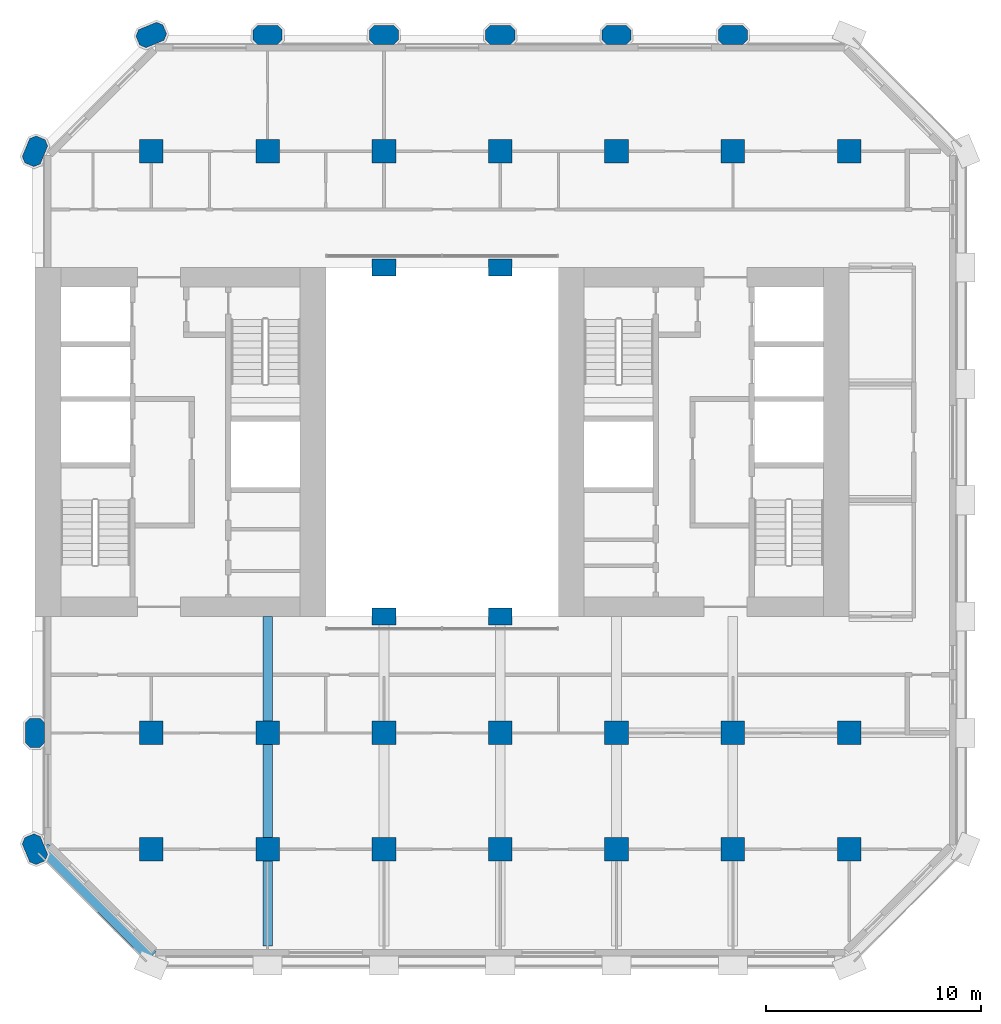
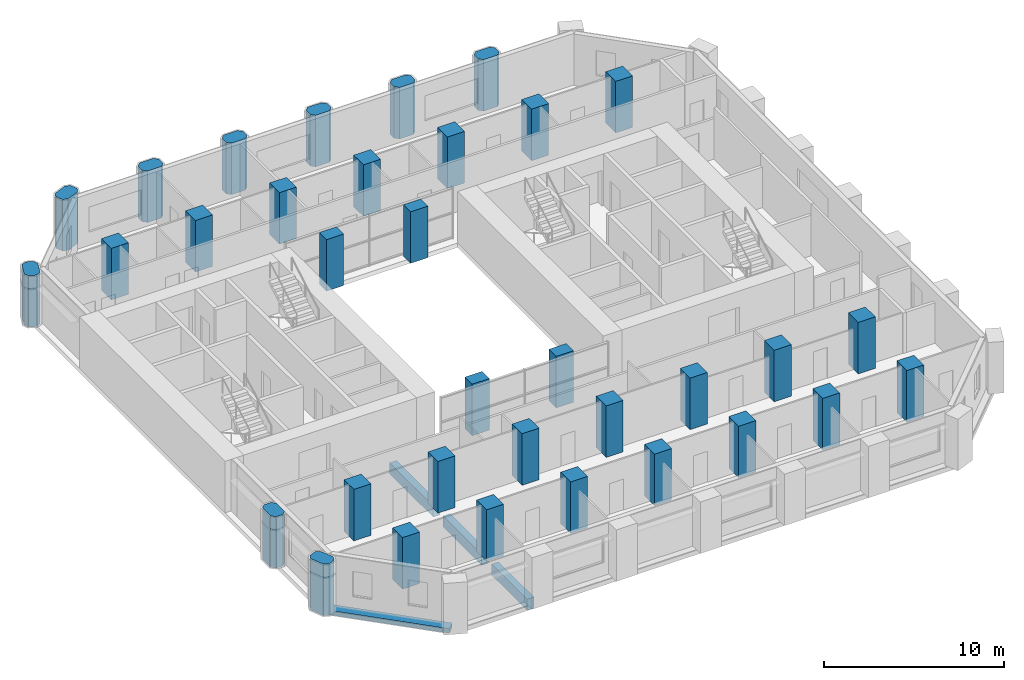
# One storey, part 1 of 14: 34 columns, 4 beams.
"""IFC4 building model written with IfcOpenShell, lengths in metres."""

from ifc_helpers import new_model, si_unit, direction, frame, origin, origin_2d, place, context, subcontext, project, spatial, polyline, rectangle, outline, extrude, material, material_profile, profile_set, type_object, element, save


model = new_model("IFC4")

# Units and contexts
model_context = context("Model", 3, precision=1e-05, world=origin(), true_north=direction((0.0, 1.0)))
body_context = subcontext(model_context, "Body", "Model", "MODEL_VIEW")
ifc_project = project(units=[si_unit("LENGTHUNIT", "METRE"), si_unit("AREAUNIT", "SQUARE_METRE"), si_unit("VOLUMEUNIT", "CUBIC_METRE"), si_unit("PLANEANGLEUNIT", "RADIAN"), si_unit("MASSUNIT", "GRAM", prefix="KILO")], contexts=[model_context])

# Site, building, storey
site_placement = place(None, origin())
site = spatial("IfcSite", under=ifc_project, at=site_placement, CompositionType="ELEMENT")
building_placement = place(site_placement, origin())
building = spatial("IfcBuilding", under=site, at=building_placement, Name="Tabaq Tower and Sports Hall", CompositionType="ELEMENT")
storey_placement = place(building_placement, frame((0.0, 0.0, 52.60009765625)))
storey = spatial("IfcBuildingStorey", under=building, at=storey_placement, Name="L11", CompositionType="ELEMENT", Elevation=52.60009765625)

# Columns
ifc_material_1 = material(Name="Concrete C60/75", Category="concrete")
ifc_material_profile_1 = material_profile(ifc_material_1, rectangle(XDim=1.10009765625, YDim=0.800048828125, at=origin_2d()), Name="ATRIUM COLUMN 1100x800")
ifc_profile_set_1 = profile_set([ifc_material_profile_1], Name="Concrete C60/75")
column_type_1 = type_object("IfcColumnType", Name="RC COLUMN ATRIUM COLUMN 1100x800 C60/75", PredefinedType="COLUMN", material=ifc_profile_set_1)
for number, where, z_axis, x_axis, name in (
    (1, (21.60009765625, 16.199951171875, 0.0), (0.0, 0.0, 1.0), (1.0, 0.0, 0.0), "Atrium Column 5/D L11"),
    (2, (27.0, 16.199951171875, 0.0), (0.0, 0.0, 1.0), (1.0, 0.0, 0.0), "Atrium Column 6/D L11"),
    (3, (21.60009765625, 32.39990234375, 0.0), (0.0, 0.0, 1.0), (1.0, 0.0, 0.0), "Atrium Column 5/G L11"),
    (4, (27.0, 32.39990234375, 0.0), (0.0, 0.0, 1.0), (1.0, 0.0, 0.0), "Atrium Column 6/G L11"),
):
    element("IfcColumn", number, at=place(storey_placement, frame(where, z_axis=z_axis, x_axis=x_axis)), inside=storey, type_object=column_type_1, Name=name, PredefinedType="COLUMN", context=body_context, shape_type="SweptSolid", body=[
        extrude(rectangle(XDim=1.10009765625, YDim=0.800048828125, at=origin_2d()), origin(), (0.0, 0.0, 1.0), 3.5),
    ])
ifc_material_2 = material(Name="Concrete C60/75", Category="concrete")
ifc_material_profile_2 = material_profile(ifc_material_2, rectangle(XDim=1.10009765625, YDim=1.10009765625, at=origin_2d()), Name="COLUMN 1100x1100")
ifc_profile_set_2 = profile_set([ifc_material_profile_2], Name="Concrete C60/75")
column_type_2 = type_object("IfcColumnType", Name="RC COLUMN COLUMN 1100x1100 C60/75", PredefinedType="COLUMN", material=ifc_profile_set_2)
for number, where, z_axis, x_axis, name in (
    (5, (10.800048828125, 5.39990234375, 0.0), (0.0, 0.0, 1.0), (1.0, 0.0, 0.0), "Column 3/B L11"),
    (6, (16.199951171875, 5.39990234375, 0.0), (0.0, 0.0, 1.0), (1.0, 0.0, 0.0), "Column 4/B L11"),
    (7, (21.60009765625, 5.39990234375, 0.0), (0.0, 0.0, 1.0), (1.0, 0.0, 0.0), "Column 5/B L11"),
    (8, (27.0, 5.39990234375, 0.0), (0.0, 0.0, 1.0), (1.0, 0.0, 0.0), "Column 6/B L11"),
    (9, (32.39990234375, 5.39990234375, 0.0), (0.0, 0.0, 1.0), (1.0, 0.0, 0.0), "Column 7/B L11"),
    (10, (37.800048828125, 5.39990234375, 0.0), (0.0, 0.0, 1.0), (1.0, 0.0, 0.0), "Column 8/B L11"),
    (11, (43.199951171875, 5.39990234375, 0.0), (0.0, 0.0, 1.0), (1.0, 0.0, 0.0), "Column 9/B L11"),
    (12, (10.800048828125, 10.800048828125, 0.0), (0.0, 0.0, 1.0), (1.0, 0.0, 0.0), "Column 3/C L11"),
    (13, (16.199951171875, 10.800048828125, 0.0), (0.0, 0.0, 1.0), (1.0, 0.0, 0.0), "Column 4/C L11"),
    (14, (21.60009765625, 10.800048828125, 0.0), (0.0, 0.0, 1.0), (1.0, 0.0, 0.0), "Column 5/C L11"),
    (15, (27.0, 10.800048828125, 0.0), (0.0, 0.0, 1.0), (1.0, 0.0, 0.0), "Column 6/C L11"),
    (16, (32.39990234375, 10.800048828125, 0.0), (0.0, 0.0, 1.0), (1.0, 0.0, 0.0), "Column 7/C L11"),
    (17, (37.800048828125, 10.800048828125, 0.0), (0.0, 0.0, 1.0), (1.0, 0.0, 0.0), "Column 8/C L11"),
    (18, (43.199951171875, 10.800048828125, 0.0), (0.0, 0.0, 1.0), (1.0, 0.0, 0.0), "Column 9/C L11"),
    (19, (10.800048828125, 37.800048828125, 0.0), (0.0, 0.0, 1.0), (1.0, 0.0, 0.0), "Column 3/H L11"),
    (20, (16.199951171875, 37.800048828125, 0.0), (0.0, 0.0, 1.0), (1.0, 0.0, 0.0), "Column 4/H L11"),
    (21, (21.60009765625, 37.800048828125, 0.0), (0.0, 0.0, 1.0), (1.0, 0.0, 0.0), "Column 5/H L11"),
    (22, (27.0, 37.800048828125, 0.0), (0.0, 0.0, 1.0), (1.0, 0.0, 0.0), "Column 6/H L11"),
    (23, (32.39990234375, 37.800048828125, 0.0), (0.0, 0.0, 1.0), (1.0, 0.0, 0.0), "Column 7/H L11"),
    (24, (37.800048828125, 37.800048828125, 0.0), (0.0, 0.0, 1.0), (1.0, 0.0, 0.0), "Column 8/H L11"),
    (25, (43.199951171875, 37.800048828125, 0.0), (0.0, 0.0, 1.0), (1.0, 0.0, 0.0), "Column 9/H L11"),
):
    element("IfcColumn", number, at=place(storey_placement, frame(where, z_axis=z_axis, x_axis=x_axis)), inside=storey, type_object=column_type_2, Name=name, PredefinedType="COLUMN", context=body_context, shape_type="SweptSolid", body=[
        extrude(rectangle(XDim=1.10009765625, YDim=1.10009765625, at=origin_2d()), origin(), (0.0, 0.0, 1.0), 3.5),
    ])
ifc_material_3 = material(Name="Concrete C60/75", Category="concrete")
ifc_material_profile_3 = material_profile(ifc_material_3, outline(polyline([(-0.449951171875, -0.449951171875), (0.449951171875, -0.449951171875), (0.675048828125, -0.22509765625), (0.675048828125, 0.22509765625), (0.449951171875, 0.449951171875), (-0.449951171875, 0.449951171875), (-0.675048828125, 0.22509765625), (-0.675048828125, -0.22509765625), (-0.449951171875, -0.449951171875)])), Name="PIER 1350x900")
ifc_profile_set_3 = profile_set([ifc_material_profile_3], Name="Concrete C60/75")
column_type_3 = type_object("IfcColumnType", Name="RC COLUMN PIER 1350x900 C60/75", PredefinedType="COLUMN", material=ifc_profile_set_3)
for number, where, z_axis, x_axis, name in (
    (26, (5.39990234375, 5.39990234375, 0.0), (0.0, 0.0, 1.0), (-0.382683432365, 0.923879532511, 0.0), "Pier 2/B L11"),
    (27, (5.39990234375, 10.800048828125, 0.0), (0.0, 0.0, 1.0), (0.0, 1.0, 0.0), "Pier 2/C L11"),
    (28, (5.39990234375, 37.800048828125, 0.0), (0.0, 0.0, 1.0), (0.382683432365, 0.923879532511, 0.0), "Pier 2/H L11"),
    (29, (10.800048828125, 43.199951171875, 0.0), (0.0, 0.0, 1.0), (0.923879532511, 0.382683432365, 0.0), "Pier 3/I L11"),
    (30, (16.199951171875, 43.199951171875, 0.0), (0.0, 0.0, 1.0), (1.0, 0.0, 0.0), "Pier 4/I L11"),
    (31, (21.60009765625, 43.199951171875, 0.0), (0.0, 0.0, 1.0), (1.0, 0.0, 0.0), "Pier 5/I L11"),
    (32, (27.0, 43.199951171875, 0.0), (0.0, 0.0, 1.0), (1.0, 0.0, 0.0), "Pier 6/I L11"),
    (33, (32.39990234375, 43.199951171875, 0.0), (0.0, 0.0, 1.0), (1.0, 0.0, 0.0), "Pier 7/I L11"),
    (34, (37.800048828125, 43.199951171875, 0.0), (0.0, 0.0, 1.0), (1.0, 0.0, 0.0), "Pier 8/I L11"),
):
    element("IfcColumn", number, at=place(storey_placement, frame(where, z_axis=z_axis, x_axis=x_axis)), inside=storey, type_object=column_type_3, Name=name, PredefinedType="COLUMN", context=body_context, shape_type="SweptSolid", body=[
        extrude(outline(polyline([(-0.449951171875, -0.449951171875), (0.449951171875, -0.449951171875), (0.675048828125, -0.22509765625), (0.675048828125, 0.22509765625), (0.449951171875, 0.449951171875), (-0.449951171875, 0.449951171875), (-0.675048828125, 0.22509765625), (-0.675048828125, -0.22509765625), (-0.449951171875, -0.449951171875)])), origin(), (0.0, 0.0, 1.0), 3.5),
    ])

# Beams
ifc_material_4 = material(Name="Concrete C40/50", Category="concrete")
ifc_material_profile_4 = material_profile(ifc_material_4, rectangle(XDim=0.449951171875, YDim=0.75, at=origin_2d()), Name="CB 450x750")
ifc_profile_set_4 = profile_set([ifc_material_profile_4], Name="Concrete C40/50")
beam_type_1 = type_object("IfcBeamType", Name="PT CANTILEVER BEAM CB 450x750 C40/50", PredefinedType="BEAM", material=ifc_profile_set_4)
beam_1_placement = place(storey_placement, frame((16.199951171875, 0.89990234375, -0.675048828125), z_axis=(0.0, 1.0, 0.0), x_axis=(-1.0, 0.0, 0.0)))
element("IfcBeam", 35, at=beam_1_placement, inside=storey, type_object=beam_type_1, Name="Cantilever Beam L11 S3 span 1", PredefinedType="BEAM", context=body_context, shape_type="SweptSolid", body=[
    extrude(rectangle(XDim=0.449951171875, YDim=0.75, at=origin_2d()), origin(), (0.0, 0.0, 1.0), 3.9501953125),
])
beam_2_placement = place(storey_placement, frame((16.199951171875, 5.949951171875, -0.675048828125), z_axis=(0.0, 1.0, 0.0), x_axis=(-1.0, 0.0, 0.0)))
element("IfcBeam", 36, at=beam_2_placement, inside=storey, type_object=beam_type_1, Name="Cantilever Beam L11 S3 span 2", PredefinedType="BEAM", context=body_context, shape_type="SweptSolid", body=[
    extrude(rectangle(XDim=0.449951171875, YDim=0.75, at=origin_2d()), origin(), (0.0, 0.0, 1.0), 4.300048828125),
])
beam_3_placement = place(storey_placement, frame((16.199951171875, 11.35009765625, -0.675048828125), z_axis=(0.0, 1.0, 0.0), x_axis=(-1.0, 0.0, 0.0)))
element("IfcBeam", 37, at=beam_3_placement, inside=storey, type_object=beam_type_1, Name="Cantilever Beam L11 S3 span 3", PredefinedType="BEAM", context=body_context, shape_type="SweptSolid", body=[
    extrude(rectangle(XDim=0.449951171875, YDim=0.75, at=origin_2d()), origin(), (0.0, 0.0, 1.0), 4.849853515625),
])
ifc_material_5 = material(Name="Concrete C40/50", Category="concrete")
ifc_material_profile_5 = material_profile(ifc_material_5, rectangle(XDim=0.60009765625, YDim=0.300048828125, at=origin_2d()), Name="EB 600x300")
ifc_profile_set_5 = profile_set([ifc_material_profile_5], Name="Concrete C40/50")
beam_type_2 = type_object("IfcBeamType", Name="PT EDGE BEAM EB 600x300 C40/50", PredefinedType="SPANDREL", material=ifc_profile_set_5)
beam_4_placement = place(storey_placement, frame((5.788818359375, 5.435302734375, -0.150146484375), z_axis=(0.707124002701, -0.707089559252, 0.0), x_axis=(0.707089559252, 0.707124002701, 0.0)))
element("IfcBeam", 38, at=beam_4_placement, inside=storey, type_object=beam_type_2, Name="Edge Beam L11 5", PredefinedType="SPANDREL", context=body_context, shape_type="SweptSolid", body=[
    extrude(rectangle(XDim=0.60009765625, YDim=0.300048828125, at=origin_2d()), origin(), (0.0, 0.0, 1.0), 7.088134765625),
])

save(model, "model.ifc")
